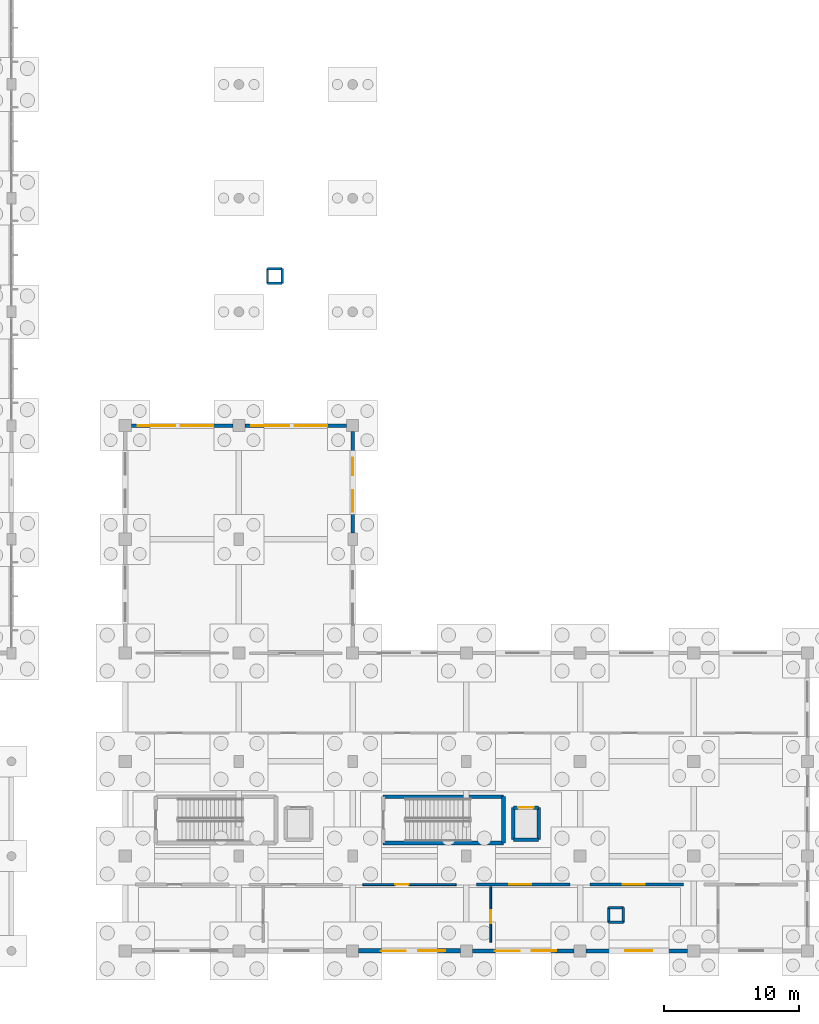
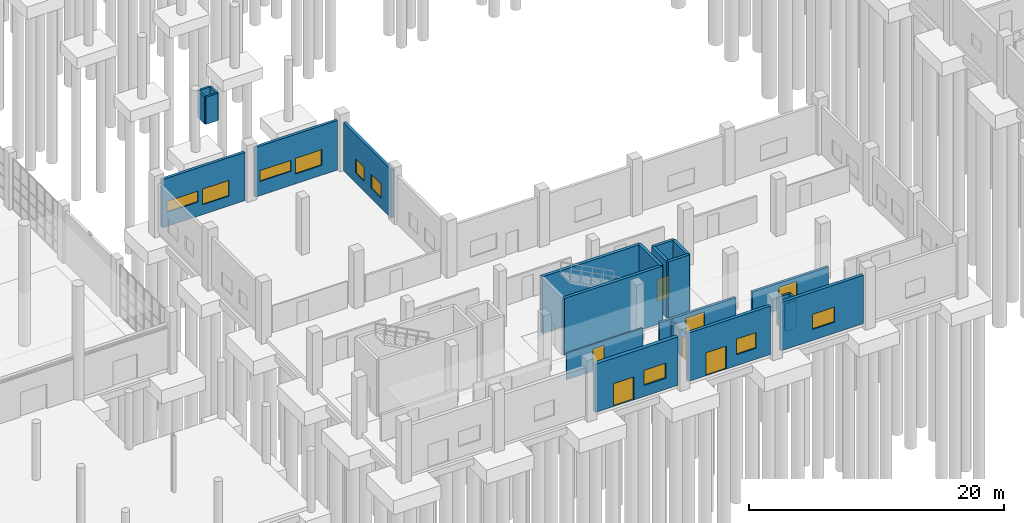
# One storey, part 52 of 83: 25 walls, 9 windows, 7 doors, 16 openings.
"""IFC4 building model written with IfcOpenShell, lengths in metres."""

from ifc_helpers import new_model, si_unit, direction, frame, frame_2d, origin, place, context, subcontext, project, spatial, rectangle, extrude, material, layer, layer_set, type_object, element, fill, save


model = new_model("IFC4")

# Units and contexts
model_context = context("Model", 3, precision=1e-05, world=origin(), true_north=direction((0.0, 1.0)))
body_context = subcontext(model_context, "Body", "Model", "MODEL_VIEW")
ifc_project = project(units=[si_unit("LENGTHUNIT", "METRE"), si_unit("AREAUNIT", "SQUARE_METRE"), si_unit("VOLUMEUNIT", "CUBIC_METRE"), si_unit("PLANEANGLEUNIT", "RADIAN"), si_unit("MASSUNIT", "GRAM", prefix="KILO"), si_unit("THERMODYNAMICTEMPERATUREUNIT", "KELVIN"), si_unit("POWERUNIT", "WATT")], contexts=[model_context])

# Site, building, storey
site_placement = place(None, origin())
site = spatial("IfcSite", under=ifc_project, at=site_placement, CompositionType="ELEMENT")
building_placement = place(site_placement, origin())
building = spatial("IfcBuilding", under=site, at=building_placement, Name="Mavoryth Pier Ferry Terminal", CompositionType="ELEMENT")
storey_placement = place(building_placement, origin())
storey = spatial("IfcBuildingStorey", under=building, at=storey_placement, Name="L00", CompositionType="ELEMENT", Elevation=0.0)

# Walls
ifc_material_1 = material(Name="Concrete C35/45", Category="concrete")
ifc_layer_1 = layer(ifc_material_1, 0.260009765625, Name="Concrete C35/45", Category="concrete")
ifc_layer_set_1 = layer_set([ifc_layer_1], Name="Concrete C35/45 - CoreWall-LiftShaft-RC260")
wall_type_1 = type_object("IfcWallType", Name="CoreWall-LiftShaft-RC260", PredefinedType="SHEAR", material=ifc_layer_set_1)
wall_1_placement = place(storey_placement, frame((70.669921875, 8.219970703125, 0.0), z_axis=(0.0, 0.0, 1.0), x_axis=(1.0, 0.0, 0.0)))
element("IfcWall", 1, at=wall_1_placement, inside=storey, type_object=wall_type_1, Name="Interior Wall IW-L00-0265", PredefinedType="SHEAR", context=body_context, shape_type="SweptSolid", body=[
    extrude(rectangle(XDim=1.860107421875, YDim=0.260009765625, at=frame_2d((0.93017578125, 0.0))), origin(), (0.0, 0.0, 1.0), 5.43994140625),
])
for number, where, z_axis, x_axis, name in (
    (2, (72.530029296875, 8.219970703125, 0.0), (0.0, 0.0, 1.0), (0.0, 1.0, 0.0), "Interior Wall IW-L00-0266"),
    (3, (70.669921875, 10.580078125, 0.0), (0.0, 0.0, 1.0), (0.0, -1.0, 0.0), "Interior Wall IW-L00-0267"),
):
    element("IfcWall", number, at=place(storey_placement, frame(where, z_axis=z_axis, x_axis=x_axis)), inside=storey, type_object=wall_type_1, Name=name, PredefinedType="SHEAR", context=body_context, shape_type="SweptSolid", body=[
        extrude(rectangle(XDim=2.360107421875, YDim=0.260009765625, at=frame_2d((1.18017578125, 0.0))), origin(), (0.0, 0.0, 1.0), 5.43994140625),
    ])

# Wall, opening, door
wall_2_placement = place(storey_placement, frame((70.669921875, 10.580078125, 0.0), z_axis=(0.0, 0.0, 1.0), x_axis=(1.0, 0.0, 0.0)))
wall_2 = element("IfcWall", 4, at=wall_2_placement, inside=storey, type_object=wall_type_1, Name="Interior Wall IW-L00-0268", PredefinedType="SHEAR", context=body_context, shape_type="SweptSolid", body=[
    extrude(rectangle(XDim=1.860107421875, YDim=0.260009765625, at=frame_2d((0.93017578125, 0.0))), origin(), (0.0, 0.0, 1.0), 5.43994140625),
])
opening_1_placement = place(wall_2_placement, frame((0.360107421875, 0.0, 0.0)))
opening_1 = element("IfcOpeningElement", 5, at=opening_1_placement, cuts=wall_2, Name="Opening LD02", PredefinedType="OPENING", context=body_context, shape_type="SweptSolid", body=[
    extrude(rectangle(XDim=1.139892578125, YDim=2.139892578125, at=frame_2d((0.56982421875, 1.06982421875))), frame((0.0, 0.139892578125, 0.0), z_axis=(0.0, -1.0, 0.0), x_axis=(1.0, 0.0, 0.0)), (0.0, 0.0, 1.0), 0.280029296875),
])
ifc_material_2 = material(Name="Brushed Stainless Steel Lift Landing Door", Category="steel")
door_type_1 = type_object("IfcDoorType", Name="Door-LiftLanding-1140x2140", OperationType="NOTDEFINED", PredefinedType="DOOR", material=ifc_material_2)
door_1_placement = place(opening_1_placement, origin())
door_1 = element("IfcDoor", 6, at=door_1_placement, inside=storey, type_object=door_type_1, Name="Lift LF10 Landing Door L00", OperationType="DOUBLE_DOOR_SLIDING", OverallHeight=2.139892578125, OverallWidth=1.139892578125, PredefinedType="DOOR", context=body_context, shape_type="SweptSolid", body=[
    extrude(rectangle(XDim=1.139892578125, YDim=2.139892578125, at=frame_2d((0.56982421875, 1.06982421875))), frame((0.0, 0.02490234375, 0.0), z_axis=(0.0, -1.0, 0.0), x_axis=(1.0, 0.0, 0.0)), (0.0, 0.0, 1.0), 0.050048828125),
])
fill(opening_1, door_1)

# Walls
ifc_material_3 = material(Name="Concrete C40/50", Category="concrete")
ifc_layer_2 = layer(ifc_material_3, 0.280029296875, Name="Concrete C40/50", Category="concrete")
ifc_layer_set_2 = layer_set([ifc_layer_2], Name="Concrete C40/50 - CoreWall-Shear-RC280")
wall_type_2 = type_object("IfcWallType", Name="CoreWall-Shear-RC280", PredefinedType="SHEAR", material=ifc_layer_set_2)
for number, where, z_axis, x_axis, name in (
    (7, (61.06005859375, 7.9599609375, 0.0), (0.0, 0.0, 1.0), (1.0, 0.0, 0.0), "Interior Wall IW-L00-0245"),
    (8, (61.06005859375, 11.389892578125, 0.0), (0.0, 0.0, 1.0), (1.0, 0.0, 0.0), "Interior Wall IW-L00-0246"),
):
    element("IfcWall", number, at=place(storey_placement, frame(where, z_axis=z_axis, x_axis=x_axis)), inside=storey, type_object=wall_type_2, Name=name, PredefinedType="SHEAR", context=body_context, shape_type="SweptSolid", body=[
        extrude(rectangle(XDim=8.8798828125, YDim=0.280029296875, at=frame_2d((4.43994140625, 0.0))), origin(), (0.0, 0.0, 1.0), 5.43994140625),
    ])
wall_3_placement = place(storey_placement, frame((69.93994140625, 7.9599609375, 0.0), z_axis=(0.0, 0.0, 1.0), x_axis=(0.0, 1.0, 0.0)))
element("IfcWall", 9, at=wall_3_placement, inside=storey, type_object=wall_type_2, Name="Interior Wall IW-L00-0248", PredefinedType="SHEAR", context=body_context, shape_type="SweptSolid", body=[
    extrude(rectangle(XDim=3.429931640625, YDim=0.280029296875, at=frame_2d((1.71484375, 0.0))), origin(), (0.0, 0.0, 1.0), 5.43994140625),
])

# Wall, openings, windows
ifc_material_4 = material(Name="Insulated Pentelic Limestone-Faced Masonry", Category="masonry")
ifc_layer_3 = layer(ifc_material_4, 0.25, Name="Insulated Pentelic Limestone-Faced Masonry", Category="masonry")
ifc_layer_set_3 = layer_set([ifc_layer_3], Name="Insulated Pentelic Limestone-Faced Masonry - ExtWall-Facade-Masonry250")
wall_type_3 = type_object("IfcWallType", Name="ExtWall-Facade-Masonry250", PredefinedType="SOLIDWALL", material=ifc_layer_set_3)
wall_4_placement = place(storey_placement, frame((58.800048828125, 30.85009765625, 0.0), z_axis=(0.0, 0.0, 1.0), x_axis=(0.0, 1.0, 0.0)))
wall_4 = element("IfcWall", 10, at=wall_4_placement, inside=storey, type_object=wall_type_3, Name="Exterior Wall EW-L00-155", PredefinedType="SOLIDWALL", context=body_context, shape_type="SweptSolid", body=[
    extrude(rectangle(XDim=7.5, YDim=0.25, at=frame_2d((3.75, 0.0))), origin(), (0.0, 0.0, 1.0), 4.625),
])
opening_2_placement = place(wall_4_placement, frame((1.590087890625, 0.0, 0.949951171875)))
opening_2 = element("IfcOpeningElement", 11, at=opening_2_placement, cuts=wall_4, Name="Opening WN05", PredefinedType="OPENING", context=body_context, shape_type="SweptSolid", body=[
    extrude(rectangle(XDim=1.60009765625, YDim=1.35009765625, at=frame_2d((0.800048828125, 0.675048828125))), frame((0.0, 0.135009765625, 0.0), z_axis=(0.0, -1.0, 0.0), x_axis=(1.0, 0.0, 0.0)), (0.0, 0.0, 1.0), 0.27001953125),
])
opening_3_placement = place(wall_4_placement, frame((4.2900390625, 0.0, 0.949951171875)))
opening_3 = element("IfcOpeningElement", 12, at=opening_3_placement, cuts=wall_4, Name="Opening WN06", PredefinedType="OPENING", context=body_context, shape_type="SweptSolid", body=[
    extrude(rectangle(XDim=1.300048828125, YDim=1.35009765625, at=frame_2d((0.64990234375, 0.675048828125))), frame((0.0, 0.135009765625, 0.0), z_axis=(0.0, -1.0, 0.0), x_axis=(1.0, 0.0, 0.0)), (0.0, 0.0, 1.0), 0.27001953125),
])
ifc_material_5 = material(Name="Thermally Broken Aluminium and Low-E Double Glazing", Category="aluminium")
window_type_1 = type_object("IfcWindowType", Name="Win-Clinic-1300x1350", PartitioningType="SINGLE_PANEL", PredefinedType="WINDOW", material=ifc_material_5)
window_1_placement = place(opening_3_placement, origin())
window_1 = element("IfcWindow", 13, at=window_1_placement, inside=storey, type_object=window_type_1, Name="Exterior Window 72", OverallHeight=1.35009765625, OverallWidth=1.300048828125, PartitioningType="SINGLE_PANEL", PredefinedType="WINDOW", context=body_context, shape_type="SweptSolid", body=[
    extrude(rectangle(XDim=1.300048828125, YDim=1.35009765625, at=frame_2d((0.64990234375, 0.675048828125))), frame((0.0, 0.030029296875, 0.0), z_axis=(0.0, -1.0, 0.0), x_axis=(1.0, 0.0, 0.0)), (0.0, 0.0, 1.0), 0.06005859375),
])
fill(opening_3, window_1)
window_type_2 = type_object("IfcWindowType", Name="Win-Clinic-1600x1350", PartitioningType="DOUBLE_PANEL_VERTICAL", PredefinedType="WINDOW", material=ifc_material_5)
window_2_placement = place(opening_2_placement, origin())
window_2 = element("IfcWindow", 14, at=window_2_placement, inside=storey, type_object=window_type_2, Name="Exterior Window 71", OverallHeight=1.35009765625, OverallWidth=1.60009765625, PartitioningType="DOUBLE_PANEL_VERTICAL", PredefinedType="WINDOW", context=body_context, shape_type="SweptSolid", body=[
    extrude(rectangle(XDim=1.60009765625, YDim=1.35009765625, at=frame_2d((0.800048828125, 0.675048828125))), frame((0.0, 0.030029296875, 0.0), z_axis=(0.0, -1.0, 0.0), x_axis=(1.0, 0.0, 0.0)), (0.0, 0.0, 1.0), 0.06005859375),
])
fill(opening_2, window_2)

wall_5_placement = place(storey_placement, frame((49.949951171875, 38.800048828125, 0.0), z_axis=(0.0, 0.0, 1.0), x_axis=(-1.0, 0.0, 0.0)))
wall_5 = element("IfcWall", 15, at=wall_5_placement, inside=storey, type_object=wall_type_3, Name="Exterior Wall EW-L00-156", PredefinedType="SOLIDWALL", context=body_context, shape_type="SweptSolid", body=[
    extrude(rectangle(XDim=7.5, YDim=0.25, at=frame_2d((3.75, 0.0))), origin(), (0.0, 0.0, 1.0), 4.625),
])
opening_4_placement = place(wall_5_placement, frame((1.43994140625, 0.0, 0.949951171875)))
opening_4 = element("IfcOpeningElement", 16, at=opening_4_placement, cuts=wall_5, Name="Opening WN02", PredefinedType="OPENING", context=body_context, shape_type="SweptSolid", body=[
    extrude(rectangle(XDim=2.39990234375, YDim=1.5, at=frame_2d((1.199951171875, 0.75))), frame((0.0, 0.135009765625, 0.0), z_axis=(0.0, -1.0, 0.0), x_axis=(1.0, 0.0, 0.0)), (0.0, 0.0, 1.0), 0.27001953125),
])
opening_5_placement = place(wall_5_placement, frame((4.239990234375, 0.0, 1.35009765625)))
opening_5 = element("IfcOpeningElement", 17, at=opening_5_placement, cuts=wall_5, Name="Opening WN15", PredefinedType="OPENING", context=body_context, shape_type="SweptSolid", body=[
    extrude(rectangle(XDim=2.800048828125, YDim=1.050048828125, at=frame_2d((1.39990234375, 0.52490234375))), frame((0.0, 0.135009765625, 0.0), z_axis=(0.0, -1.0, 0.0), x_axis=(1.0, 0.0, 0.0)), (0.0, 0.0, 1.0), 0.27001953125),
])
window_type_3 = type_object("IfcWindowType", Name="Win-Clerestory-2800x1050", PartitioningType="TRIPLE_PANEL_VERTICAL", PredefinedType="WINDOW", material=ifc_material_5)
window_3_placement = place(opening_5_placement, origin())
window_3 = element("IfcWindow", 18, at=window_3_placement, inside=storey, type_object=window_type_3, Name="Exterior Window 74", OverallHeight=1.050048828125, OverallWidth=2.800048828125, PartitioningType="TRIPLE_PANEL_VERTICAL", PredefinedType="WINDOW", context=body_context, shape_type="SweptSolid", body=[
    extrude(rectangle(XDim=2.800048828125, YDim=1.050048828125, at=frame_2d((1.39990234375, 0.52490234375))), frame((0.0, 0.030029296875, 0.0), z_axis=(0.0, -1.0, 0.0), x_axis=(1.0, 0.0, 0.0)), (0.0, 0.0, 1.0), 0.06005859375),
])
fill(opening_5, window_3)
window_type_4 = type_object("IfcWindowType", Name="Win-Ops-2400x1500", PartitioningType="TRIPLE_PANEL_VERTICAL", PredefinedType="WINDOW", material=ifc_material_5)
window_4_placement = place(opening_4_placement, origin())
window_4 = element("IfcWindow", 19, at=window_4_placement, inside=storey, type_object=window_type_4, Name="Exterior Window 73", OverallHeight=1.5, OverallWidth=2.39990234375, PartitioningType="TRIPLE_PANEL_VERTICAL", PredefinedType="WINDOW", context=body_context, shape_type="SweptSolid", body=[
    extrude(rectangle(XDim=2.39990234375, YDim=1.5, at=frame_2d((1.199951171875, 0.75))), frame((0.0, 0.030029296875, 0.0), z_axis=(0.0, -1.0, 0.0), x_axis=(1.0, 0.0, 0.0)), (0.0, 0.0, 1.0), 0.06005859375),
])
fill(opening_4, window_4)

wall_6_placement = place(storey_placement, frame((58.35009765625, 38.800048828125, 0.0), z_axis=(0.0, 0.0, 1.0), x_axis=(-1.0, 0.0, 0.0)))
wall_6 = element("IfcWall", 20, at=wall_6_placement, inside=storey, type_object=wall_type_3, Name="Exterior Wall EW-L00-157", PredefinedType="SOLIDWALL", context=body_context, shape_type="SweptSolid", body=[
    extrude(rectangle(XDim=7.5, YDim=0.25, at=frame_2d((3.75, 0.0))), origin(), (0.0, 0.0, 1.0), 4.7451171875),
])
opening_6_placement = place(wall_6_placement, frame((1.43994140625, 0.0, 0.949951171875)))
opening_6 = element("IfcOpeningElement", 21, at=opening_6_placement, cuts=wall_6, Name="Opening WN02", PredefinedType="OPENING", context=body_context, shape_type="SweptSolid", body=[
    extrude(rectangle(XDim=2.39990234375, YDim=1.5, at=frame_2d((1.199951171875, 0.75))), frame((0.0, 0.135009765625, 0.0), z_axis=(0.0, -1.0, 0.0), x_axis=(1.0, 0.0, 0.0)), (0.0, 0.0, 1.0), 0.27001953125),
])
opening_7_placement = place(wall_6_placement, frame((4.239990234375, 0.0, 1.35009765625)))
opening_7 = element("IfcOpeningElement", 22, at=opening_7_placement, cuts=wall_6, Name="Opening WN15", PredefinedType="OPENING", context=body_context, shape_type="SweptSolid", body=[
    extrude(rectangle(XDim=2.800048828125, YDim=1.050048828125, at=frame_2d((1.39990234375, 0.52490234375))), frame((0.0, 0.135009765625, 0.0), z_axis=(0.0, -1.0, 0.0), x_axis=(1.0, 0.0, 0.0)), (0.0, 0.0, 1.0), 0.27001953125),
])
window_5_placement = place(opening_7_placement, origin())
window_5 = element("IfcWindow", 23, at=window_5_placement, inside=storey, type_object=window_type_3, Name="Exterior Window 76", OverallHeight=1.050048828125, OverallWidth=2.800048828125, PartitioningType="TRIPLE_PANEL_VERTICAL", PredefinedType="WINDOW", context=body_context, shape_type="SweptSolid", body=[
    extrude(rectangle(XDim=2.800048828125, YDim=1.050048828125, at=frame_2d((1.39990234375, 0.52490234375))), frame((0.0, 0.030029296875, 0.0), z_axis=(0.0, -1.0, 0.0), x_axis=(1.0, 0.0, 0.0)), (0.0, 0.0, 1.0), 0.06005859375),
])
fill(opening_7, window_5)
window_6_placement = place(opening_6_placement, origin())
window_6 = element("IfcWindow", 24, at=window_6_placement, inside=storey, type_object=window_type_4, Name="Exterior Window 75", OverallHeight=1.5, OverallWidth=2.39990234375, PartitioningType="TRIPLE_PANEL_VERTICAL", PredefinedType="WINDOW", context=body_context, shape_type="SweptSolid", body=[
    extrude(rectangle(XDim=2.39990234375, YDim=1.5, at=frame_2d((1.199951171875, 0.75))), frame((0.0, 0.030029296875, 0.0), z_axis=(0.0, -1.0, 0.0), x_axis=(1.0, 0.0, 0.0)), (0.0, 0.0, 1.0), 0.06005859375),
])
fill(opening_6, window_6)

# Wall, openings, door, window
ifc_layer_4 = layer(ifc_material_1, 0.2900390625, Name="Concrete C35/45", Category="concrete")
ifc_layer_set_4 = layer_set([ifc_layer_4], Name="Concrete C35/45 - ExtWall-Plant-RC290")
wall_type_4 = type_object("IfcWallType", Name="ExtWall-Plant-RC290", PredefinedType="SOLIDWALL", material=ifc_layer_set_4)
wall_7_placement = place(storey_placement, frame((67.64990234375, 0.0, 0.0), z_axis=(0.0, 0.0, 1.0), x_axis=(1.0, 0.0, 0.0)))
wall_7 = element("IfcWall", 25, at=wall_7_placement, inside=storey, type_object=wall_type_4, Name="Exterior Wall EW-L00-143", PredefinedType="SOLIDWALL", context=body_context, shape_type="SweptSolid", body=[
    extrude(rectangle(XDim=7.5, YDim=0.2900390625, at=frame_2d((3.75, 0.0))), origin(), (0.0, 0.0, 1.0), 4.625),
])
opening_8_placement = place(wall_7_placement, frame((1.639892578125, 0.0, 0.0)))
opening_8 = element("IfcOpeningElement", 26, at=opening_8_placement, cuts=wall_7, Name="Opening ED04-032", PredefinedType="OPENING", context=body_context, shape_type="SweptSolid", body=[
    extrude(rectangle(XDim=1.85009765625, YDim=2.199951171875, at=frame_2d((0.925048828125, 1.10009765625))), frame((0.0, 0.155029296875, 0.0), z_axis=(0.0, -1.0, 0.0), x_axis=(1.0, 0.0, 0.0)), (0.0, 0.0, 1.0), 0.31005859375),
])
opening_9_placement = place(wall_7_placement, frame((4.389892578125, 0.0, 1.050048828125)))
opening_9 = element("IfcOpeningElement", 27, at=opening_9_placement, cuts=wall_7, Name="Opening WN01", PredefinedType="OPENING", context=body_context, shape_type="SweptSolid", body=[
    extrude(rectangle(XDim=1.800048828125, YDim=1.5, at=frame_2d((0.89990234375, 0.75))), frame((0.0, 0.155029296875, 0.0), z_axis=(0.0, -1.0, 0.0), x_axis=(1.0, 0.0, 0.0)), (0.0, 0.0, 1.0), 0.31005859375),
])
ifc_material_6 = material(Name="Thermally Broken Anodised Aluminium and Laminated Glass", Category="aluminium")
door_type_2 = type_object("IfcDoorType", Name="ExtDoor-ExitDouble-1850x2200", OperationType="NOTDEFINED", PredefinedType="DOOR", material=ifc_material_6)
door_2_placement = place(opening_8_placement, origin())
door_2 = element("IfcDoor", 28, at=door_2_placement, inside=storey, type_object=door_type_2, Name="Exterior Pedestrian Exit Door ED04-032", OperationType="DOUBLE_DOOR_SINGLE_SWING", OverallHeight=2.199951171875, OverallWidth=1.85009765625, PredefinedType="DOOR", context=body_context, shape_type="SweptSolid", body=[
    extrude(rectangle(XDim=1.85009765625, YDim=2.199951171875, at=frame_2d((0.925048828125, 1.10009765625))), frame((0.0, 0.02490234375, 0.0), z_axis=(0.0, -1.0, 0.0), x_axis=(1.0, 0.0, 0.0)), (0.0, 0.0, 1.0), 0.050048828125),
])
fill(opening_8, door_2)
window_type_5 = type_object("IfcWindowType", Name="Win-Ops-1800x1500", PartitioningType="DOUBLE_PANEL_VERTICAL", PredefinedType="WINDOW", material=ifc_material_5)
window_7_placement = place(opening_9_placement, origin())
window_7 = element("IfcWindow", 29, at=window_7_placement, inside=storey, type_object=window_type_5, Name="Exterior Window 53", OverallHeight=1.5, OverallWidth=1.800048828125, PartitioningType="DOUBLE_PANEL_VERTICAL", PredefinedType="WINDOW", context=body_context, shape_type="SweptSolid", body=[
    extrude(rectangle(XDim=1.800048828125, YDim=1.5, at=frame_2d((0.89990234375, 0.75))), frame((0.0, 0.030029296875, 0.0), z_axis=(0.0, -1.0, 0.0), x_axis=(1.0, 0.0, 0.0)), (0.0, 0.0, 1.0), 0.06005859375),
])
fill(opening_9, window_7)

# Wall, opening, window
wall_8_placement = place(storey_placement, frame((76.050048828125, 0.0, 0.0), z_axis=(0.0, 0.0, 1.0), x_axis=(1.0, 0.0, 0.0)))
wall_8 = element("IfcWall", 30, at=wall_8_placement, inside=storey, type_object=wall_type_4, Name="Exterior Wall EW-L00-145", PredefinedType="SOLIDWALL", context=body_context, shape_type="SweptSolid", body=[
    extrude(rectangle(XDim=7.5, YDim=0.2900390625, at=frame_2d((3.75, 0.0))), origin(), (0.0, 0.0, 1.0), 4.625),
])
opening_10_placement = place(wall_8_placement, frame((2.889892578125, 0.0, 1.050048828125)))
opening_10 = element("IfcOpeningElement", 31, at=opening_10_placement, cuts=wall_8, Name="Opening WN04", PredefinedType="OPENING", context=body_context, shape_type="SweptSolid", body=[
    extrude(rectangle(XDim=2.0, YDim=1.449951171875, at=frame_2d((1.0, 0.72509765625))), frame((0.0, 0.155029296875, 0.0), z_axis=(0.0, -1.0, 0.0), x_axis=(1.0, 0.0, 0.0)), (0.0, 0.0, 1.0), 0.31005859375),
])
window_type_6 = type_object("IfcWindowType", Name="Win-Ops-2000x1450", PartitioningType="DOUBLE_PANEL_VERTICAL", PredefinedType="WINDOW", material=ifc_material_5)
window_8_placement = place(opening_10_placement, origin())
window_8 = element("IfcWindow", 32, at=window_8_placement, inside=storey, type_object=window_type_6, Name="Exterior Window 55", OverallHeight=1.449951171875, OverallWidth=2.0, PartitioningType="DOUBLE_PANEL_VERTICAL", PredefinedType="WINDOW", context=body_context, shape_type="SweptSolid", body=[
    extrude(rectangle(XDim=2.0, YDim=1.449951171875, at=frame_2d((1.0, 0.72509765625))), frame((0.0, 0.030029296875, 0.0), z_axis=(0.0, -1.0, 0.0), x_axis=(1.0, 0.0, 0.0)), (0.0, 0.0, 1.0), 0.06005859375),
])
fill(opening_10, window_8)

# Wall, openings, door, window
ifc_layer_5 = layer(ifc_material_1, 0.340087890625, Name="Concrete C35/45", Category="concrete")
ifc_layer_set_5 = layer_set([ifc_layer_5], Name="Concrete C35/45 - ExtWall-Plinth-RC340")
wall_type_5 = type_object("IfcWallType", Name="ExtWall-Plinth-RC340", PredefinedType="SOLIDWALL", material=ifc_layer_set_5)
wall_9_placement = place(storey_placement, frame((59.25, 0.0, 0.0), z_axis=(0.0, 0.0, 1.0), x_axis=(1.0, 0.0, 0.0)))
wall_9 = element("IfcWall", 33, at=wall_9_placement, inside=storey, type_object=wall_type_5, Name="Exterior Wall EW-L00-141", PredefinedType="SOLIDWALL", context=body_context, shape_type="SweptSolid", body=[
    extrude(rectangle(XDim=7.5, YDim=0.340087890625, at=frame_2d((3.75, 0.0))), origin(), (0.0, 0.0, 1.0), 4.625),
])
opening_11_placement = place(wall_9_placement, frame((1.639892578125, 0.0, 0.0)))
opening_11 = element("IfcOpeningElement", 34, at=opening_11_placement, cuts=wall_9, Name="Opening ED04-030", PredefinedType="OPENING", context=body_context, shape_type="SweptSolid", body=[
    extrude(rectangle(XDim=1.85009765625, YDim=2.199951171875, at=frame_2d((0.925048828125, 1.10009765625))), frame((0.0, 0.179931640625, 0.0), z_axis=(0.0, -1.0, 0.0), x_axis=(1.0, 0.0, 0.0)), (0.0, 0.0, 1.0), 0.360107421875),
])
opening_12_placement = place(wall_9_placement, frame((4.389892578125, 0.0, 1.050048828125)))
opening_12 = element("IfcOpeningElement", 35, at=opening_12_placement, cuts=wall_9, Name="Opening WN04", PredefinedType="OPENING", context=body_context, shape_type="SweptSolid", body=[
    extrude(rectangle(XDim=2.0, YDim=1.449951171875, at=frame_2d((1.0, 0.72509765625))), frame((0.0, 0.179931640625, 0.0), z_axis=(0.0, -1.0, 0.0), x_axis=(1.0, 0.0, 0.0)), (0.0, 0.0, 1.0), 0.360107421875),
])
door_3_placement = place(opening_11_placement, origin())
door_3 = element("IfcDoor", 36, at=door_3_placement, inside=storey, type_object=door_type_2, Name="Exterior Pedestrian Exit Door ED04-030", OperationType="DOUBLE_DOOR_SINGLE_SWING", OverallHeight=2.199951171875, OverallWidth=1.85009765625, PredefinedType="DOOR", context=body_context, shape_type="SweptSolid", body=[
    extrude(rectangle(XDim=1.85009765625, YDim=2.199951171875, at=frame_2d((0.925048828125, 1.10009765625))), frame((0.0, 0.02490234375, 0.0), z_axis=(0.0, -1.0, 0.0), x_axis=(1.0, 0.0, 0.0)), (0.0, 0.0, 1.0), 0.050048828125),
])
fill(opening_11, door_3)
window_9_placement = place(opening_12_placement, origin())
window_9 = element("IfcWindow", 37, at=window_9_placement, inside=storey, type_object=window_type_6, Name="Exterior Window 51", OverallHeight=1.449951171875, OverallWidth=2.0, PartitioningType="DOUBLE_PANEL_VERTICAL", PredefinedType="WINDOW", context=body_context, shape_type="SweptSolid", body=[
    extrude(rectangle(XDim=2.0, YDim=1.449951171875, at=frame_2d((1.0, 0.72509765625))), frame((0.0, 0.030029296875, 0.0), z_axis=(0.0, -1.0, 0.0), x_axis=(1.0, 0.0, 0.0)), (0.0, 0.0, 1.0), 0.06005859375),
])
fill(opening_12, window_9)

# Wall, opening, door
ifc_layer_6 = layer(ifc_material_1, 0.219970703125, Name="Concrete C35/45", Category="concrete")
ifc_layer_set_6 = layer_set([ifc_layer_6], Name="Concrete C35/45 - IntWall-FireComp-220")
wall_type_6 = type_object("IfcWallType", Name="IntWall-FireComp-220", PredefinedType="SOLIDWALL", material=ifc_layer_set_6)
wall_10_placement = place(storey_placement, frame((67.949951171875, 4.89990234375, 0.0), z_axis=(0.0, 0.0, 1.0), x_axis=(1.0, 0.0, 0.0)))
wall_10 = element("IfcWall", 38, at=wall_10_placement, inside=storey, type_object=wall_type_6, Name="Interior Wall IW-L00-0446", PredefinedType="SOLIDWALL", context=body_context, shape_type="SweptSolid", body=[
    extrude(rectangle(XDim=6.900146484375, YDim=0.219970703125, at=frame_2d((3.4501953125, 0.0))), origin(), (0.0, 0.0, 1.0), 2.550048828125),
])
opening_13_placement = place(wall_10_placement, frame((2.39990234375, 0.0, 0.0)))
opening_13 = element("IfcOpeningElement", 39, at=opening_13_placement, cuts=wall_10, Name="Opening ID13-115", PredefinedType="OPENING", context=body_context, shape_type="SweptSolid", body=[
    extrude(rectangle(XDim=1.639892578125, YDim=2.159912109375, at=frame_2d((0.81982421875, 1.080078125))), frame((0.0, 0.119873046875, 0.0), z_axis=(0.0, -1.0, 0.0), x_axis=(1.0, 0.0, 0.0)), (0.0, 0.0, 1.0), 0.239990234375),
])
ifc_material_7 = material(Name="Louvred Acoustic Steel Plant Door", Category="steel")
door_type_3 = type_object("IfcDoorType", Name="Door-PlantDouble-1640x2160", OperationType="NOTDEFINED", PredefinedType="DOOR", material=ifc_material_7)
door_4_placement = place(opening_13_placement, origin())
door_4 = element("IfcDoor", 40, at=door_4_placement, inside=storey, type_object=door_type_3, Name="Interior Door ID13-115", OperationType="DOUBLE_DOOR_SINGLE_SWING", OverallHeight=2.159912109375, OverallWidth=1.639892578125, PredefinedType="DOOR", context=body_context, shape_type="SweptSolid", body=[
    extrude(rectangle(XDim=1.639892578125, YDim=2.159912109375, at=frame_2d((0.81982421875, 1.080078125))), frame((0.0, 0.02490234375, 0.0), z_axis=(0.0, -1.0, 0.0), x_axis=(1.0, 0.0, 0.0)), (0.0, 0.0, 1.0), 0.050048828125),
])
fill(opening_13, door_4)

wall_11_placement = place(storey_placement, frame((76.35009765625, 4.89990234375, 0.0), z_axis=(0.0, 0.0, 1.0), x_axis=(1.0, 0.0, 0.0)))
wall_11 = element("IfcWall", 41, at=wall_11_placement, inside=storey, type_object=wall_type_6, Name="Interior Wall IW-L00-0449", PredefinedType="SOLIDWALL", context=body_context, shape_type="SweptSolid", body=[
    extrude(rectangle(XDim=6.89990234375, YDim=0.219970703125, at=frame_2d((3.449951171875, 0.0))), origin(), (0.0, 0.0, 1.0), 2.550048828125),
])
opening_14_placement = place(wall_11_placement, frame((2.39990234375, 0.0, 0.0)))
opening_14 = element("IfcOpeningElement", 42, at=opening_14_placement, cuts=wall_11, Name="Opening ID13-118", PredefinedType="OPENING", context=body_context, shape_type="SweptSolid", body=[
    extrude(rectangle(XDim=1.639892578125, YDim=2.159912109375, at=frame_2d((0.81982421875, 1.080078125))), frame((0.0, 0.119873046875, 0.0), z_axis=(0.0, -1.0, 0.0), x_axis=(1.0, 0.0, 0.0)), (0.0, 0.0, 1.0), 0.239990234375),
])
door_5_placement = place(opening_14_placement, origin())
door_5 = element("IfcDoor", 43, at=door_5_placement, inside=storey, type_object=door_type_3, Name="Interior Door ID13-118", OperationType="DOUBLE_DOOR_SINGLE_SWING", OverallHeight=2.159912109375, OverallWidth=1.639892578125, PredefinedType="DOOR", context=body_context, shape_type="SweptSolid", body=[
    extrude(rectangle(XDim=1.639892578125, YDim=2.159912109375, at=frame_2d((0.81982421875, 1.080078125))), frame((0.0, 0.02490234375, 0.0), z_axis=(0.0, -1.0, 0.0), x_axis=(1.0, 0.0, 0.0)), (0.0, 0.0, 1.0), 0.050048828125),
])
fill(opening_14, door_5)

# Walls
ifc_material_8 = material(Name="Autoclaved Aerated Concrete Blockwork", Category="masonry")
ifc_layer_7 = layer(ifc_material_8, 0.179931640625, Name="Autoclaved Aerated Concrete Blockwork", Category="masonry")
ifc_layer_set_7 = layer_set([ifc_layer_7], Name="Autoclaved Aerated Concrete Blockwork - IntWall-PlantRated-180")
wall_type_7 = type_object("IfcWallType", Name="IntWall-PlantRated-180", PredefinedType="SOLIDWALL", material=ifc_layer_set_7)
wall_12_placement = place(storey_placement, frame((77.7099609375, 2.110107421875, 0.0), z_axis=(0.0, 0.0, 1.0), x_axis=(1.0, 0.0, 0.0)))
element("IfcWall", 44, at=wall_12_placement, inside=storey, type_object=wall_type_7, Name="Interior Wall IW-L00-0337", PredefinedType="SOLIDWALL", context=body_context, shape_type="SweptSolid", body=[
    extrude(rectangle(XDim=1.080078125, YDim=0.179931640625, at=frame_2d((0.5400390625, 0.0))), origin(), (0.0, 0.0, 1.0), 2.60009765625),
])
wall_13_placement = place(storey_placement, frame((78.7900390625, 2.110107421875, 0.0), z_axis=(0.0, 0.0, 1.0), x_axis=(0.0, 1.0, 0.0)))
element("IfcWall", 45, at=wall_13_placement, inside=storey, type_object=wall_type_7, Name="Interior Wall IW-L00-0338", PredefinedType="SOLIDWALL", context=body_context, shape_type="SweptSolid", body=[
    extrude(rectangle(XDim=1.079833984375, YDim=0.179931640625, at=frame_2d((0.5400390625, 0.0))), origin(), (0.0, 0.0, 1.0), 2.60009765625),
])
wall_14_placement = place(storey_placement, frame((78.7900390625, 3.18994140625, 0.0), z_axis=(0.0, 0.0, 1.0), x_axis=(-1.0, 0.0, 0.0)))
element("IfcWall", 46, at=wall_14_placement, inside=storey, type_object=wall_type_7, Name="Interior Wall IW-L00-0339", PredefinedType="SOLIDWALL", context=body_context, shape_type="SweptSolid", body=[
    extrude(rectangle(XDim=1.080078125, YDim=0.179931640625, at=frame_2d((0.5400390625, 0.0))), origin(), (0.0, 0.0, 1.0), 2.60009765625),
])
wall_15_placement = place(storey_placement, frame((77.7099609375, 3.18994140625, 0.0), z_axis=(0.0, 0.0, 1.0), x_axis=(0.0, -1.0, 0.0)))
element("IfcWall", 47, at=wall_15_placement, inside=storey, type_object=wall_type_7, Name="Interior Wall IW-L00-0340", PredefinedType="SOLIDWALL", context=body_context, shape_type="SweptSolid", body=[
    extrude(rectangle(XDim=1.079833984375, YDim=0.179931640625, at=frame_2d((0.5400390625, 0.0))), origin(), (0.0, 0.0, 1.0), 2.60009765625),
])
wall_16_placement = place(storey_placement, frame((52.510009765625, 49.31005859375, 0.0), z_axis=(0.0, 0.0, 1.0), x_axis=(1.0, 0.0, 0.0)))
element("IfcWall", 48, at=wall_16_placement, inside=storey, type_object=wall_type_7, Name="Interior Wall IW-L00-0353", PredefinedType="SOLIDWALL", context=body_context, shape_type="SweptSolid", body=[
    extrude(rectangle(XDim=1.080078125, YDim=0.179931640625, at=frame_2d((0.5400390625, 0.0))), origin(), (0.0, 0.0, 1.0), 2.60009765625),
])
wall_17_placement = place(storey_placement, frame((53.590087890625, 49.31005859375, 0.0), z_axis=(0.0, 0.0, 1.0), x_axis=(0.0, 1.0, 0.0)))
element("IfcWall", 49, at=wall_17_placement, inside=storey, type_object=wall_type_7, Name="Interior Wall IW-L00-0354", PredefinedType="SOLIDWALL", context=body_context, shape_type="SweptSolid", body=[
    extrude(rectangle(XDim=1.079833984375, YDim=0.179931640625, at=frame_2d((0.5400390625, 0.0))), origin(), (0.0, 0.0, 1.0), 2.60009765625),
])
wall_18_placement = place(storey_placement, frame((53.590087890625, 50.389892578125, 0.0), z_axis=(0.0, 0.0, 1.0), x_axis=(-1.0, 0.0, 0.0)))
element("IfcWall", 50, at=wall_18_placement, inside=storey, type_object=wall_type_7, Name="Interior Wall IW-L00-0355", PredefinedType="SOLIDWALL", context=body_context, shape_type="SweptSolid", body=[
    extrude(rectangle(XDim=1.080078125, YDim=0.179931640625, at=frame_2d((0.5400390625, 0.0))), origin(), (0.0, 0.0, 1.0), 2.60009765625),
])
wall_19_placement = place(storey_placement, frame((52.510009765625, 50.389892578125, 0.0), z_axis=(0.0, 0.0, 1.0), x_axis=(0.0, -1.0, 0.0)))
element("IfcWall", 51, at=wall_19_placement, inside=storey, type_object=wall_type_7, Name="Interior Wall IW-L00-0356", PredefinedType="SOLIDWALL", context=body_context, shape_type="SweptSolid", body=[
    extrude(rectangle(XDim=1.079833984375, YDim=0.179931640625, at=frame_2d((0.5400390625, 0.0))), origin(), (0.0, 0.0, 1.0), 2.60009765625),
])

# Wall, opening, door
ifc_material_9 = material(Name="Fire-Rated Gypsum Stud Partition")
ifc_layer_8 = layer(ifc_material_9, 0.139892578125, Name="Fire-Rated Gypsum Stud Partition")
ifc_layer_set_8 = layer_set([ifc_layer_8], Name="Fire-Rated Gypsum Stud Partition - Part-Corridor-140")
wall_type_8 = type_object("IfcWallType", Name="Part-Corridor-140", PredefinedType="PARTITIONING", material=ifc_layer_set_8)
wall_20_placement = place(storey_placement, frame((59.550048828125, 4.89990234375, 0.0), z_axis=(0.0, 0.0, 1.0), x_axis=(1.0, 0.0, 0.0)))
wall_20 = element("IfcWall", 52, at=wall_20_placement, inside=storey, type_object=wall_type_8, Name="Interior Wall IW-L00-0444", PredefinedType="PARTITIONING", context=body_context, shape_type="SweptSolid", body=[
    extrude(rectangle(XDim=6.89990234375, YDim=0.139892578125, at=frame_2d((3.449951171875, 0.0))), origin(), (0.0, 0.0, 1.0), 2.550048828125),
])
opening_15_placement = place(wall_20_placement, frame((2.39990234375, 0.0, 0.0)))
opening_15 = element("IfcOpeningElement", 53, at=opening_15_placement, cuts=wall_20, Name="Opening ID09-113", PredefinedType="OPENING", context=body_context, shape_type="SweptSolid", body=[
    extrude(rectangle(XDim=0.97998046875, YDim=2.1201171875, at=frame_2d((0.489990234375, 1.06005859375))), frame((0.0, 0.079833984375, 0.0), z_axis=(0.0, -1.0, 0.0), x_axis=(1.0, 0.0, 0.0)), (0.0, 0.0, 1.0), 0.159912109375),
])
ifc_material_10 = material(Name="Solid-Core Oak Veneer Timber Door", Category="wood")
door_type_4 = type_object("IfcDoorType", Name="Door-RoomSingle-980x2120", OperationType="NOTDEFINED", PredefinedType="DOOR", material=ifc_material_10)
door_6_placement = place(opening_15_placement, origin())
door_6 = element("IfcDoor", 54, at=door_6_placement, inside=storey, type_object=door_type_4, Name="Interior Door ID09-113", OperationType="SINGLE_SWING_LEFT", OverallHeight=2.1201171875, OverallWidth=0.97998046875, PredefinedType="DOOR", context=body_context, shape_type="SweptSolid", body=[
    extrude(rectangle(XDim=0.97998046875, YDim=2.1201171875, at=frame_2d((0.489990234375, 1.06005859375))), frame((0.0, 0.02490234375, 0.0), z_axis=(0.0, -1.0, 0.0), x_axis=(1.0, 0.0, 0.0)), (0.0, 0.0, 1.0), 0.050048828125),
])
fill(opening_15, door_6)

ifc_material_11 = material(Name="Metal-Stud Gypsum Partition")
ifc_layer_9 = layer(ifc_material_11, 0.1201171875, Name="Metal-Stud Gypsum Partition")
ifc_layer_set_9 = layer_set([ifc_layer_9], Name="Metal-Stud Gypsum Partition - Part-Standard-120")
wall_type_9 = type_object("IfcWallType", Name="Part-Standard-120", PredefinedType="PARTITIONING", material=ifc_layer_set_9)
wall_21_placement = place(storey_placement, frame((69.0, 0.64990234375, 0.0), z_axis=(0.0, 0.0, 1.0), x_axis=(0.0, 1.0, 0.0)))
wall_21 = element("IfcWall", 55, at=wall_21_placement, inside=storey, type_object=wall_type_9, Name="Interior Wall IW-L00-0447", PredefinedType="PARTITIONING", context=body_context, shape_type="SweptSolid", body=[
    extrude(rectangle(XDim=4.10009765625, YDim=0.1201171875, at=frame_2d((2.050048828125, 0.0))), origin(), (0.0, 0.0, 1.0), 2.5),
])
opening_16_placement = place(wall_21_placement, frame((1.39990234375, 0.0, 0.0)))
opening_16 = element("IfcOpeningElement", 56, at=opening_16_placement, cuts=wall_21, Name="Opening ID10-116", PredefinedType="OPENING", context=body_context, shape_type="SweptSolid", body=[
    extrude(rectangle(XDim=0.93994140625, YDim=2.080078125, at=frame_2d((0.469970703125, 1.0400390625))), frame((0.0, 0.070068359375, 0.0), z_axis=(0.0, -1.0, 0.0), x_axis=(1.0, 0.0, 0.0)), (0.0, 0.0, 1.0), 0.14013671875),
])
door_type_5 = type_object("IfcDoorType", Name="Door-RoomSingle-940x2080", OperationType="NOTDEFINED", PredefinedType="DOOR", material=ifc_material_10)
door_7_placement = place(opening_16_placement, origin())
door_7 = element("IfcDoor", 57, at=door_7_placement, inside=storey, type_object=door_type_5, Name="Interior Door ID10-116", OperationType="SINGLE_SWING_LEFT", OverallHeight=2.080078125, OverallWidth=0.93994140625, PredefinedType="DOOR", context=body_context, shape_type="SweptSolid", body=[
    extrude(rectangle(XDim=0.93994140625, YDim=2.080078125, at=frame_2d((0.469970703125, 1.0400390625))), frame((0.0, 0.02490234375, 0.0), z_axis=(0.0, -1.0, 0.0), x_axis=(1.0, 0.0, 0.0)), (0.0, 0.0, 1.0), 0.050048828125),
])
fill(opening_16, door_7)

save(model, "model.ifc")
